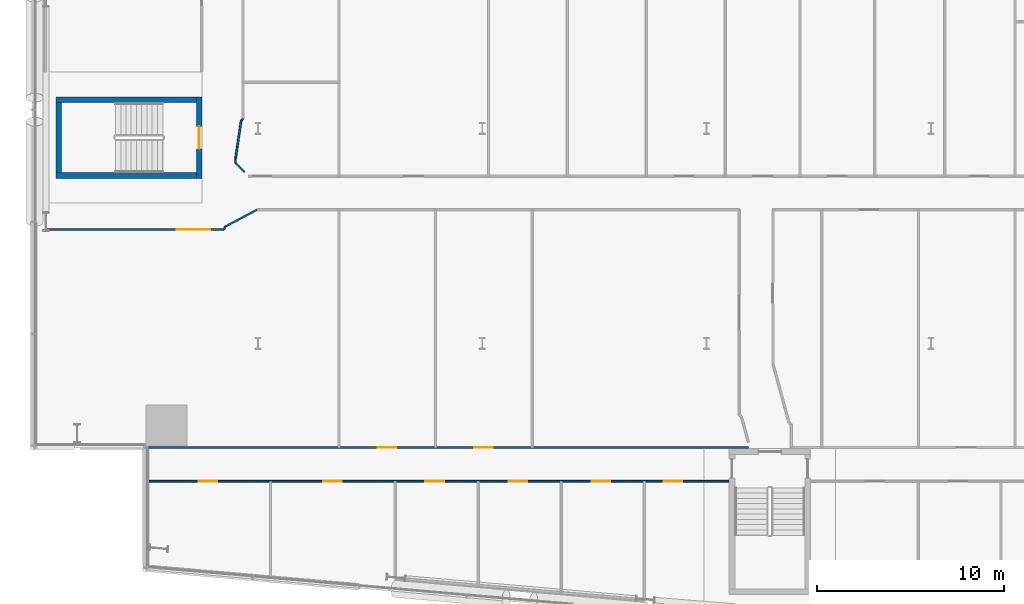
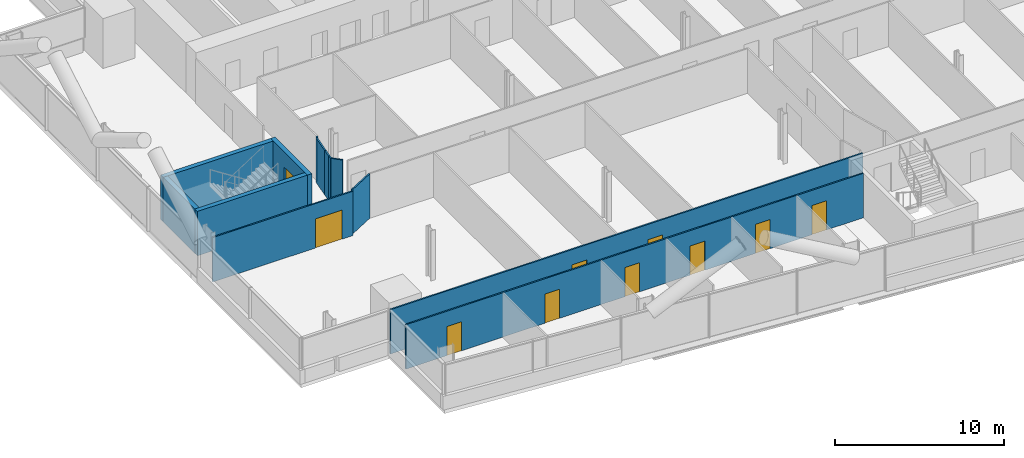
# One storey, part 13 of 28: 14 walls, 10 doors, 10 openings.
"""IFC4 building model written with IfcOpenShell, lengths in metres."""

from ifc_helpers import new_model, si_unit, direction, frame, frame_2d, origin, place, context, subcontext, project, spatial, rectangle, extrude, material, layer, layer_set, type_object, element, fill, save


model = new_model("IFC4")

# Units and contexts
model_context = context("Model", 3, precision=1e-05, world=origin(), true_north=direction((0.0, 1.0)))
body_context = subcontext(model_context, "Body", "Model", "MODEL_VIEW")
ifc_project = project(units=[si_unit("LENGTHUNIT", "METRE"), si_unit("AREAUNIT", "SQUARE_METRE"), si_unit("VOLUMEUNIT", "CUBIC_METRE"), si_unit("PLANEANGLEUNIT", "RADIAN"), si_unit("MASSUNIT", "GRAM", prefix="KILO")], contexts=[model_context])

# Site, building, storey
site_placement = place(None, origin())
site = spatial("IfcSite", under=ifc_project, at=site_placement, CompositionType="ELEMENT")
building_placement = place(site_placement, origin())
building = spatial("IfcBuilding", under=site, at=building_placement, Name="Wharfspan Tower", CompositionType="ELEMENT")
storey_placement = place(building_placement, frame((0.0, 0.0, 59.5)))
storey = spatial("IfcBuildingStorey", under=building, at=storey_placement, Name="L11", CompositionType="ELEMENT", Elevation=59.5)

# Wall, opening, door
ifc_material_1 = material(Name="Gypsum board on steel studs", Category="steel")
ifc_layer_1 = layer(ifc_material_1, 0.100098)
ifc_layer_set_1 = layer_set([ifc_layer_1], Name="Gypsum board on steel studs")
wall_type_1 = type_object("IfcWallType", Name="Compartment wall 100 EI 60", PredefinedType="PARTITIONING", material=ifc_layer_set_1)
wall_1_placement = place(storey_placement, frame((0.629883, 17.590088, 0.0), z_axis=(0.0, 0.0, 1.0), x_axis=(1.0, 0.0, 0.0)))
wall_1 = element("IfcWall", 1, at=wall_1_placement, inside=storey, type_object=wall_type_1, Name="Partition L11.w001", PredefinedType="PARTITIONING", context=body_context, shape_type="SweptSolid", body=[
    extrude(rectangle(XDim=9.550049, YDim=0.100098, at=frame_2d((4.774902, 0.0))), origin(), (0.0, 0.0, 1.0), 3.199951),
])
opening_1_placement = place(wall_1_placement, frame((7.024902, 0.0, 0.0)))
opening_1 = element("IfcOpeningElement", 2, at=opening_1_placement, cuts=wall_1, Name="Opening A2-21", PredefinedType="OPENING", context=body_context, shape_type="SweptSolid", body=[
    extrude(rectangle(XDim=1.800049, YDim=2.100098, at=frame_2d((0.899902, 1.050049))), frame((0.0, 0.060059, 0.0), z_axis=(0.0, -1.0, 0.0), x_axis=(1.0, 0.0, 0.0)), (0.0, 0.0, 1.0), 0.120117),
])
ifc_material_2 = material(Name="Fire-rated timber door leaf in steel frame", Category="steel")
door_type_1 = type_object("IfcDoorType", Name="Door 1800 FD30S Double", OperationType="DOUBLE_DOOR_SINGLE_SWING", PredefinedType="DOOR", material=ifc_material_2)
door_1_placement = place(opening_1_placement, origin())
door_1 = element("IfcDoor", 3, at=door_1_placement, inside=storey, type_object=door_type_1, Name="Door A2-21", OperationType="DOUBLE_DOOR_SINGLE_SWING", OverallHeight=2.100098, OverallWidth=1.800049, PredefinedType="DOOR", context=body_context, shape_type="SweptSolid", body=[
    extrude(rectangle(XDim=1.800049, YDim=2.100098, at=frame_2d((0.899902, 1.050049))), frame((0.0, 0.024902, 0.0), z_axis=(0.0, -1.0, 0.0), x_axis=(1.0, 0.0, 0.0)), (0.0, 0.0, 1.0), 0.050049),
])
fill(opening_1, door_1)

# Wall, openings, doors
wall_2_placement = place(storey_placement, frame((6.02002, 4.120117, 0.0), z_axis=(0.0, 0.0, 1.0), x_axis=(1.0, 0.0, 0.0)))
wall_2 = element("IfcWall", 4, at=wall_2_placement, inside=storey, type_object=wall_type_1, Name="Partition L11.w004", PredefinedType="PARTITIONING", context=body_context, shape_type="SweptSolid", body=[
    extrude(rectangle(XDim=31.188232, YDim=0.100098, at=frame_2d((15.594238, 0.0))), origin(), (0.0, 0.0, 1.0), 3.199951),
])
opening_2_placement = place(wall_2_placement, frame((2.804932, 0.0, 0.0)))
opening_2 = element("IfcOpeningElement", 5, at=opening_2_placement, cuts=wall_2, Name="Opening A2-01", PredefinedType="OPENING", context=body_context, shape_type="SweptSolid", body=[
    extrude(rectangle(XDim=1.0, YDim=2.100098, at=frame_2d((0.5, 1.050049))), frame((0.0, 0.060059, 0.0), z_axis=(0.0, -1.0, 0.0), x_axis=(1.0, 0.0, 0.0)), (0.0, 0.0, 1.0), 0.120117),
])
opening_3_placement = place(wall_2_placement, frame((9.475098, 0.0, 0.0)))
opening_3 = element("IfcOpeningElement", 6, at=opening_3_placement, cuts=wall_2, Name="Opening A2-02", PredefinedType="OPENING", context=body_context, shape_type="SweptSolid", body=[
    extrude(rectangle(XDim=1.0, YDim=2.100098, at=frame_2d((0.5, 1.050049))), frame((0.0, 0.060059, 0.0), z_axis=(0.0, -1.0, 0.0), x_axis=(1.0, 0.0, 0.0)), (0.0, 0.0, 1.0), 0.120117),
])
opening_4_placement = place(wall_2_placement, frame((14.939941, 0.0, 0.0)))
opening_4 = element("IfcOpeningElement", 7, at=opening_4_placement, cuts=wall_2, Name="Opening A2-03", PredefinedType="OPENING", context=body_context, shape_type="SweptSolid", body=[
    extrude(rectangle(XDim=1.0, YDim=2.100098, at=frame_2d((0.5, 1.050049))), frame((0.0, 0.060059, 0.0), z_axis=(0.0, -1.0, 0.0), x_axis=(1.0, 0.0, 0.0)), (0.0, 0.0, 1.0), 0.120117),
])
opening_5_placement = place(wall_2_placement, frame((19.38501, 0.0, 0.0)))
opening_5 = element("IfcOpeningElement", 8, at=opening_5_placement, cuts=wall_2, Name="Opening A2-04", PredefinedType="OPENING", context=body_context, shape_type="SweptSolid", body=[
    extrude(rectangle(XDim=1.0, YDim=2.100098, at=frame_2d((0.5, 1.050049))), frame((0.0, 0.060059, 0.0), z_axis=(0.0, -1.0, 0.0), x_axis=(1.0, 0.0, 0.0)), (0.0, 0.0, 1.0), 0.120117),
])
opening_6_placement = place(wall_2_placement, frame((23.830078, 0.0, 0.0)))
opening_6 = element("IfcOpeningElement", 9, at=opening_6_placement, cuts=wall_2, Name="Opening A2-05", PredefinedType="OPENING", context=body_context, shape_type="SweptSolid", body=[
    extrude(rectangle(XDim=1.0, YDim=2.100098, at=frame_2d((0.5, 1.050049))), frame((0.0, 0.060059, 0.0), z_axis=(0.0, -1.0, 0.0), x_axis=(1.0, 0.0, 0.0)), (0.0, 0.0, 1.0), 0.120117),
])
opening_7_placement = place(wall_2_placement, frame((27.675049, 0.0, 0.0)))
opening_7 = element("IfcOpeningElement", 10, at=opening_7_placement, cuts=wall_2, Name="Opening A2-06", PredefinedType="OPENING", context=body_context, shape_type="SweptSolid", body=[
    extrude(rectangle(XDim=1.0, YDim=2.100098, at=frame_2d((0.5, 1.050049))), frame((0.0, 0.060059, 0.0), z_axis=(0.0, -1.0, 0.0), x_axis=(1.0, 0.0, 0.0)), (0.0, 0.0, 1.0), 0.120117),
])
door_type_2 = type_object("IfcDoorType", Name="Door 1000 FD30S Left", OperationType="SINGLE_SWING_LEFT", PredefinedType="DOOR", material=ifc_material_2)
door_2_placement = place(opening_2_placement, origin())
door_2 = element("IfcDoor", 11, at=door_2_placement, inside=storey, type_object=door_type_2, Name="Door A2-01", OperationType="SINGLE_SWING_LEFT", OverallHeight=2.100098, OverallWidth=1.0, PredefinedType="DOOR", context=body_context, shape_type="SweptSolid", body=[
    extrude(rectangle(XDim=1.0, YDim=2.100098, at=frame_2d((0.5, 1.050049))), frame((0.0, 0.024902, 0.0), z_axis=(0.0, -1.0, 0.0), x_axis=(1.0, 0.0, 0.0)), (0.0, 0.0, 1.0), 0.050049),
])
fill(opening_2, door_2)
door_3_placement = place(opening_3_placement, origin())
door_3 = element("IfcDoor", 12, at=door_3_placement, inside=storey, type_object=door_type_2, Name="Door A2-02", OperationType="SINGLE_SWING_LEFT", OverallHeight=2.100098, OverallWidth=1.0, PredefinedType="DOOR", context=body_context, shape_type="SweptSolid", body=[
    extrude(rectangle(XDim=1.0, YDim=2.100098, at=frame_2d((0.5, 1.050049))), frame((0.0, 0.024902, 0.0), z_axis=(0.0, -1.0, 0.0), x_axis=(1.0, 0.0, 0.0)), (0.0, 0.0, 1.0), 0.050049),
])
fill(opening_3, door_3)
door_4_placement = place(opening_4_placement, origin())
door_4 = element("IfcDoor", 13, at=door_4_placement, inside=storey, type_object=door_type_2, Name="Door A2-03", OperationType="SINGLE_SWING_LEFT", OverallHeight=2.100098, OverallWidth=1.0, PredefinedType="DOOR", context=body_context, shape_type="SweptSolid", body=[
    extrude(rectangle(XDim=1.0, YDim=2.100098, at=frame_2d((0.5, 1.050049))), frame((0.0, 0.024902, 0.0), z_axis=(0.0, -1.0, 0.0), x_axis=(1.0, 0.0, 0.0)), (0.0, 0.0, 1.0), 0.050049),
])
fill(opening_4, door_4)
door_type_3 = type_object("IfcDoorType", Name="Door 1000 FD30S Right", OperationType="SINGLE_SWING_RIGHT", PredefinedType="DOOR", material=ifc_material_2)
door_5_placement = place(opening_5_placement, origin())
door_5 = element("IfcDoor", 14, at=door_5_placement, inside=storey, type_object=door_type_3, Name="Door A2-04", OperationType="SINGLE_SWING_RIGHT", OverallHeight=2.100098, OverallWidth=1.0, PredefinedType="DOOR", context=body_context, shape_type="SweptSolid", body=[
    extrude(rectangle(XDim=1.0, YDim=2.100098, at=frame_2d((0.5, 1.050049))), frame((0.0, 0.024902, 0.0), z_axis=(0.0, -1.0, 0.0), x_axis=(1.0, 0.0, 0.0)), (0.0, 0.0, 1.0), 0.050049),
])
fill(opening_5, door_5)
door_6_placement = place(opening_6_placement, origin())
door_6 = element("IfcDoor", 15, at=door_6_placement, inside=storey, type_object=door_type_3, Name="Door A2-05", OperationType="SINGLE_SWING_RIGHT", OverallHeight=2.100098, OverallWidth=1.0, PredefinedType="DOOR", context=body_context, shape_type="SweptSolid", body=[
    extrude(rectangle(XDim=1.0, YDim=2.100098, at=frame_2d((0.5, 1.050049))), frame((0.0, 0.024902, 0.0), z_axis=(0.0, -1.0, 0.0), x_axis=(1.0, 0.0, 0.0)), (0.0, 0.0, 1.0), 0.050049),
])
fill(opening_6, door_6)
door_7_placement = place(opening_7_placement, origin())
door_7 = element("IfcDoor", 16, at=door_7_placement, inside=storey, type_object=door_type_3, Name="Door A2-06", OperationType="SINGLE_SWING_RIGHT", OverallHeight=2.100098, OverallWidth=1.0, PredefinedType="DOOR", context=body_context, shape_type="SweptSolid", body=[
    extrude(rectangle(XDim=1.0, YDim=2.100098, at=frame_2d((0.5, 1.050049))), frame((0.0, 0.024902, 0.0), z_axis=(0.0, -1.0, 0.0), x_axis=(1.0, 0.0, 0.0)), (0.0, 0.0, 1.0), 0.050049),
])
fill(opening_7, door_7)

wall_3_placement = place(storey_placement, frame((6.02002, 5.925049, 0.0), z_axis=(0.0, 0.0, 1.0), x_axis=(1.0, 0.0, 0.0)))
wall_3 = element("IfcWall", 17, at=wall_3_placement, inside=storey, type_object=wall_type_1, Name="Partition L11.w005", PredefinedType="PARTITIONING", context=body_context, shape_type="SweptSolid", body=[
    extrude(rectangle(XDim=32.209961, YDim=0.100098, at=frame_2d((16.10498, 0.0))), origin(), (0.0, 0.0, 1.0), 3.199951),
])
opening_8_placement = place(wall_3_placement, frame((12.379883, 0.0, 0.0)))
opening_8 = element("IfcOpeningElement", 18, at=opening_8_placement, cuts=wall_3, Name="Opening A2-13", PredefinedType="OPENING", context=body_context, shape_type="SweptSolid", body=[
    extrude(rectangle(XDim=1.0, YDim=2.100098, at=frame_2d((0.5, 1.050049))), frame((0.0, 0.060059, 0.0), z_axis=(0.0, -1.0, 0.0), x_axis=(1.0, 0.0, 0.0)), (0.0, 0.0, 1.0), 0.120117),
])
opening_9_placement = place(wall_3_placement, frame((17.544922, 0.0, 0.0)))
opening_9 = element("IfcOpeningElement", 19, at=opening_9_placement, cuts=wall_3, Name="Opening A2-14", PredefinedType="OPENING", context=body_context, shape_type="SweptSolid", body=[
    extrude(rectangle(XDim=1.0, YDim=2.100098, at=frame_2d((0.5, 1.050049))), frame((0.0, 0.060059, 0.0), z_axis=(0.0, -1.0, 0.0), x_axis=(1.0, 0.0, 0.0)), (0.0, 0.0, 1.0), 0.120117),
])
door_8_placement = place(opening_8_placement, origin())
door_8 = element("IfcDoor", 20, at=door_8_placement, inside=storey, type_object=door_type_2, Name="Door A2-13", OperationType="SINGLE_SWING_LEFT", OverallHeight=2.100098, OverallWidth=1.0, PredefinedType="DOOR", context=body_context, shape_type="SweptSolid", body=[
    extrude(rectangle(XDim=1.0, YDim=2.100098, at=frame_2d((0.5, 1.050049))), frame((0.0, 0.024902, 0.0), z_axis=(0.0, -1.0, 0.0), x_axis=(1.0, 0.0, 0.0)), (0.0, 0.0, 1.0), 0.050049),
])
fill(opening_8, door_8)
door_9_placement = place(opening_9_placement, origin())
door_9 = element("IfcDoor", 21, at=door_9_placement, inside=storey, type_object=door_type_3, Name="Door A2-14", OperationType="SINGLE_SWING_RIGHT", OverallHeight=2.100098, OverallWidth=1.0, PredefinedType="DOOR", context=body_context, shape_type="SweptSolid", body=[
    extrude(rectangle(XDim=1.0, YDim=2.100098, at=frame_2d((0.5, 1.050049))), frame((0.0, 0.024902, 0.0), z_axis=(0.0, -1.0, 0.0), x_axis=(1.0, 0.0, 0.0)), (0.0, 0.0, 1.0), 0.050049),
])
fill(opening_9, door_9)

# Walls
wall_4_placement = place(storey_placement, frame((10.179932, 17.590088, 0.0), z_axis=(0.0, 0.0, 1.0), x_axis=(0.435266, 0.900306, 0.0)))
element("IfcWall", 22, at=wall_4_placement, inside=storey, type_object=wall_type_1, Name="Partition L11.w007", PredefinedType="PARTITIONING", context=body_context, shape_type="SweptSolid", body=[
    extrude(rectangle(XDim=0.172119, YDim=0.100098, at=frame_2d((0.085938, 0.0))), origin(), (0.0, 0.0, 1.0), 3.199951),
])
wall_5_placement = place(storey_placement, frame((10.254883, 17.745117, 0.0), z_axis=(0.0, 0.0, 1.0), x_axis=(0.882644, 0.470051, 0.0)))
element("IfcWall", 23, at=wall_5_placement, inside=storey, type_object=wall_type_1, Name="Partition L11.w008", PredefinedType="PARTITIONING", context=body_context, shape_type="SweptSolid", body=[
    extrude(rectangle(XDim=1.903564, YDim=0.100098, at=frame_2d((0.95166, 0.0))), origin(), (0.0, 0.0, 1.0), 3.199951),
])
wall_6_placement = place(storey_placement, frame((10.800049, 21.14502, 0.0), z_axis=(0.0, 0.0, 1.0), x_axis=(0.0, 1.0, 0.0)))
element("IfcWall", 24, at=wall_6_placement, inside=storey, type_object=wall_type_1, Name="Partition L11.w009", PredefinedType="PARTITIONING", context=body_context, shape_type="SweptSolid", body=[
    extrude(rectangle(XDim=0.225098, YDim=0.100098, at=frame_2d((0.112549, 0.0))), origin(), (0.0, 0.0, 1.0), 3.199951),
])
wall_7_placement = place(storey_placement, frame((10.800049, 21.370117, 0.0), z_axis=(0.0, 0.0, 1.0), x_axis=(0.142287, 0.989823, 0.0)))
element("IfcWall", 25, at=wall_7_placement, inside=storey, type_object=wall_type_1, Name="Partition L11.w010", PredefinedType="PARTITIONING", context=body_context, shape_type="SweptSolid", body=[
    extrude(rectangle(XDim=0.631348, YDim=0.100098, at=frame_2d((0.315674, 0.0))), origin(), (0.0, 0.0, 1.0), 3.199951),
])
wall_8_placement = place(storey_placement, frame((10.889893, 21.995117, 0.0), z_axis=(0.0, 0.0, 1.0), x_axis=(0.147988, 0.988993, 0.0)))
element("IfcWall", 26, at=wall_8_placement, inside=storey, type_object=wall_type_1, Name="Partition L11.w011", PredefinedType="PARTITIONING", context=body_context, shape_type="SweptSolid", body=[
    extrude(rectangle(XDim=1.42041, YDim=0.100098, at=frame_2d((0.710205, 0.0))), origin(), (0.0, 0.0, 1.0), 3.199951),
])
wall_9_placement = place(storey_placement, frame((11.100098, 23.399902, 0.0), z_axis=(0.0, 0.0, 1.0), x_axis=(0.65566, 0.755051, 0.0)))
element("IfcWall", 27, at=wall_9_placement, inside=storey, type_object=wall_type_1, Name="Partition L11.w012", PredefinedType="PARTITIONING", context=body_context, shape_type="SweptSolid", body=[
    extrude(rectangle(XDim=0.152344, YDim=0.100098, at=frame_2d((0.076172, 0.0))), origin(), (0.0, 0.0, 1.0), 3.199951),
])
wall_10_placement = place(storey_placement, frame((11.294922, 20.655029, 0.0), z_axis=(0.0, 0.0, 1.0), x_axis=(-0.7106, 0.703589, 0.0)))
element("IfcWall", 28, at=wall_10_placement, inside=storey, type_object=wall_type_1, Name="Partition L11.w016", PredefinedType="PARTITIONING", context=body_context, shape_type="SweptSolid", body=[
    extrude(rectangle(XDim=0.696533, YDim=0.100098, at=frame_2d((0.348145, 0.0))), origin(), (0.0, 0.0, 1.0), 3.199951),
])

# Wall, opening, door
ifc_material_3 = material(Name="Concrete C40/50", Category="concrete")
ifc_layer_2 = layer(ifc_material_3, 0.300049)
ifc_layer_set_2 = layer_set([ifc_layer_2], Name="Concrete C40/50")
wall_type_2 = type_object("IfcWallType", Name="Stair core wall 300", PredefinedType="SHEAR", material=ifc_layer_set_2)
wall_11_placement = place(storey_placement, frame((8.850098, 20.324951, 0.0), z_axis=(0.0, 0.0, 1.0), x_axis=(0.0, 1.0, 0.0)))
wall_11 = element("IfcWall", 29, at=wall_11_placement, inside=storey, type_object=wall_type_2, Name="ST3 stair enclosure wall L11", PredefinedType="SHEAR", context=body_context, shape_type="SweptSolid", body=[
    extrude(rectangle(XDim=4.350098, YDim=0.300049, at=frame_2d((2.175049, 0.0))), origin(), (0.0, 0.0, 1.0), 3.199951),
])
opening_10_placement = place(wall_11_placement, frame((1.574951, 0.0, 0.0)))
opening_10 = element("IfcOpeningElement", 30, at=opening_10_placement, cuts=wall_11, Name="Opening SD3.L11", PredefinedType="OPENING", context=body_context, shape_type="SweptSolid", body=[
    extrude(rectangle(XDim=1.199951, YDim=2.100098, at=frame_2d((0.600098, 1.050049))), frame((0.0, 0.159912, 0.0), z_axis=(0.0, -1.0, 0.0), x_axis=(1.0, 0.0, 0.0)), (0.0, 0.0, 1.0), 0.320068),
])
ifc_material_4 = material(Name="Steel door leaf", Category="steel")
door_type_4 = type_object("IfcDoorType", Name="Stair door 1200x2100", OperationType="SINGLE_SWING_LEFT", PredefinedType="DOOR", material=ifc_material_4)
door_10_placement = place(opening_10_placement, origin())
door_10 = element("IfcDoor", 31, at=door_10_placement, inside=storey, type_object=door_type_4, Name="sd:L11:ST3z1", OperationType="SINGLE_SWING_RIGHT", OverallHeight=2.100098, OverallWidth=1.199951, PredefinedType="DOOR", context=body_context, shape_type="SweptSolid", body=[
    extrude(rectangle(XDim=1.199951, YDim=2.100098, at=frame_2d((0.600098, 1.050049))), frame((0.0, 0.024902, 0.0), z_axis=(0.0, -1.0, 0.0), x_axis=(1.0, 0.0, 0.0)), (0.0, 0.0, 1.0), 0.050049),
])
fill(opening_10, door_10)

# Walls
for number, where, z_axis, x_axis, name in (
    (32, (1.199951, 20.475098, 0.0), (0.0, 0.0, 1.0), (1.0, 0.0, 0.0), "ST3 stair enclosure wall L11"),
    (33, (1.199951, 24.524902, 0.0), (0.0, 0.0, 1.0), (1.0, 0.0, 0.0), "ST3 stair enclosure wall L11"),
):
    element("IfcWall", number, at=place(storey_placement, frame(where, z_axis=z_axis, x_axis=x_axis)), inside=storey, type_object=wall_type_2, Name=name, PredefinedType="SHEAR", context=body_context, shape_type="SweptSolid", body=[
        extrude(rectangle(XDim=7.5, YDim=0.300049, at=frame_2d((3.75, 0.0))), origin(), (0.0, 0.0, 1.0), 3.199951),
    ])
wall_12_placement = place(storey_placement, frame((1.350098, 20.625, 0.0), z_axis=(0.0, 0.0, 1.0), x_axis=(0.0, 1.0, 0.0)))
element("IfcWall", 34, at=wall_12_placement, inside=storey, type_object=wall_type_2, Name="ST3 stair enclosure wall L11", PredefinedType="SHEAR", context=body_context, shape_type="SweptSolid", body=[
    extrude(rectangle(XDim=3.75, YDim=0.300049, at=frame_2d((1.875, 0.0))), origin(), (0.0, 0.0, 1.0), 3.199951),
])

save(model, "model.ifc")
